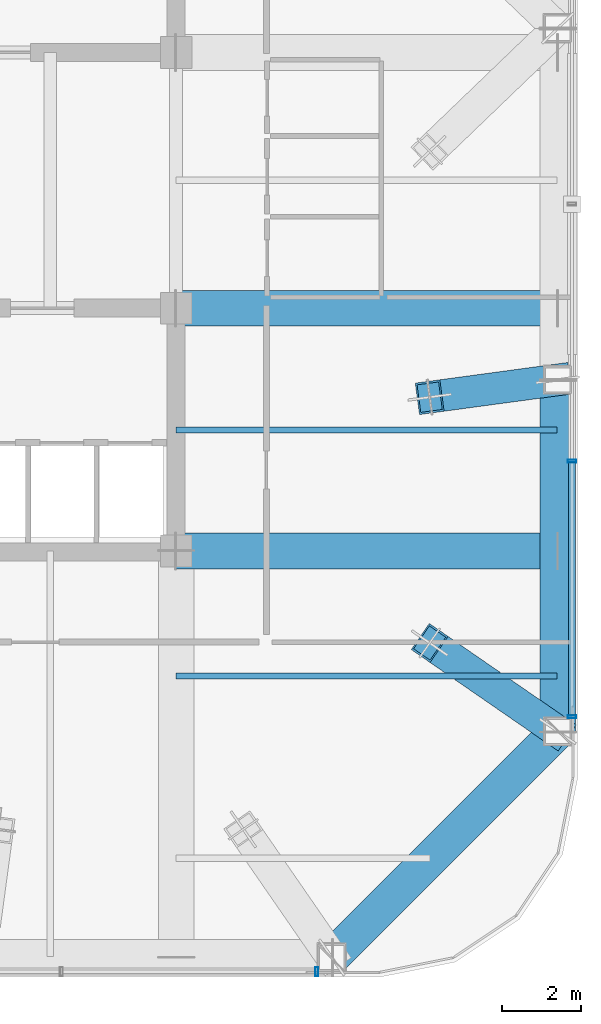
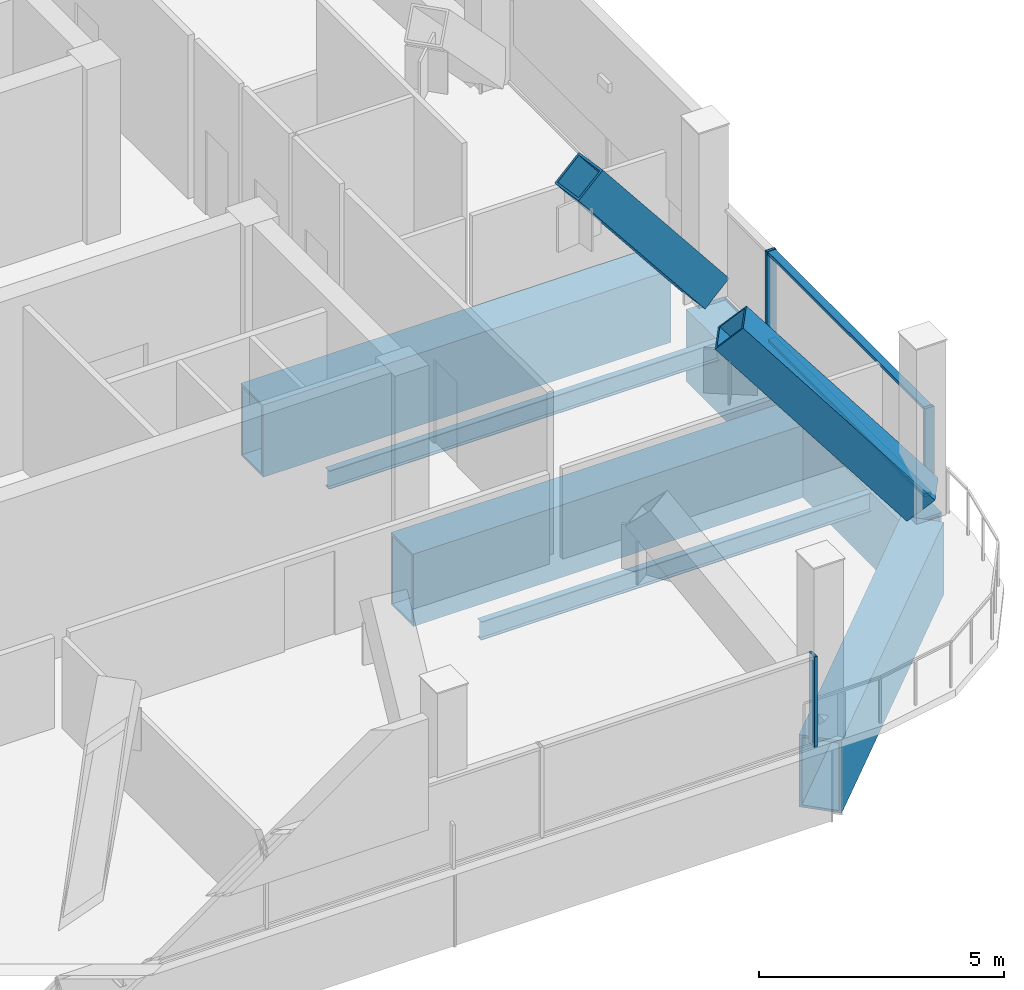
# One storey, part 8 of 19: 7 members, 6 beams, 2 elements without a shape of their own.
"""IFC4 building model written with IfcOpenShell, lengths in metres."""

from ifc_helpers import new_model, si_unit, direction, frame, origin, origin_2d, place, context, subcontext, project, spatial, hollow_rectangle, i_section, extrude, material, layer, layer_set, material_profile, profile_set, type_object, element, aggregate, save


model = new_model("IFC4")

# Units and contexts
model_context = context("Model", 3, precision=1e-05, world=origin(), true_north=direction((0.0, 1.0)))
body_context = subcontext(model_context, "Body", "Model", "MODEL_VIEW")
ifc_project = project(units=[si_unit("LENGTHUNIT", "METRE"), si_unit("AREAUNIT", "SQUARE_METRE"), si_unit("VOLUMEUNIT", "CUBIC_METRE"), si_unit("PLANEANGLEUNIT", "RADIAN"), si_unit("MASSUNIT", "GRAM", prefix="KILO")], contexts=[model_context])

# Site, building, storey
site_placement = place(None, origin())
site = spatial("IfcSite", under=ifc_project, at=site_placement, CompositionType="ELEMENT")
building_placement = place(site_placement, origin())
building = spatial("IfcBuilding", under=site, at=building_placement, Name="Qhalaya Broadcast Tower", CompositionType="ELEMENT")
storey_placement = place(building_placement, frame((0.0, 0.0, 226.949951171875)))
storey = spatial("IfcBuildingStorey", under=building, at=storey_placement, Name="L67", CompositionType="ELEMENT", Elevation=226.949951171875)

# Beams
ifc_material_1 = material(Name="Structural Steel ASTM A572 Grade 50", Category="steel")
ifc_material_profile_1 = material_profile(ifc_material_1, hollow_rectangle(XDim=0.89990234375, YDim=1.800048828125, WallThickness=0.06005859375, at=origin_2d()), Name="BOX 900x1800x60")
ifc_profile_set_1 = profile_set([ifc_material_profile_1], Name="Structural Steel ASTM A572 Grade 50")
beam_type_1 = type_object("IfcBeamType", Name="Block Cantilever Transfer Box Girder TG1", PredefinedType="USERDEFINED", material=ifc_profile_set_1)
beam_1_placement = place(storey_placement, frame((13.300048828125, -19.0, -1.08984375), z_axis=(0.707106781187, 0.707106781187, 0.0), x_axis=(-0.707106781187, 0.707106781187, 0.0)))
element("IfcBeam", 1, at=beam_1_placement, inside=storey, type_object=beam_type_1, Name="L67 TG1 L67-SPR-04", ObjectType="GIRDER", PredefinedType="USERDEFINED", context=body_context, shape_type="SweptSolid", body=[
    extrude(hollow_rectangle(XDim=0.89990234375, YDim=1.800048828125, WallThickness=0.06005859375, at=origin_2d()), origin(), (0.0, 0.0, 1.0), 8.06103515625),
])
beam_2_placement = place(storey_placement, frame((19.0, -13.300048828125, -1.08984375), z_axis=(0.0, 1.0, 0.0), x_axis=(-1.0, 0.0, 0.0)))
element("IfcBeam", 2, at=beam_2_placement, inside=storey, type_object=beam_type_1, Name="L67 TG1 L67-SPR-05", ObjectType="GIRDER", PredefinedType="USERDEFINED", context=body_context, shape_type="SweptSolid", body=[
    extrude(hollow_rectangle(XDim=0.89990234375, YDim=1.800048828125, WallThickness=0.06005859375, at=origin_2d()), origin(), (0.0, 0.0, 1.0), 8.86669921875),
])
for number, where, z_axis, x_axis, name in (
    (3, (9.375, -8.75, -1.08984375), (1.0, 0.0, 0.0), (0.0, 1.0, 0.0), "L67 TG1 L67-PGYE1-1"),
    (4, (9.375, -2.625, -1.08984375), (1.0, 0.0, 0.0), (0.0, 1.0, 0.0), "L67 TG1 L67-PGYE2-1"),
):
    element("IfcBeam", number, at=place(storey_placement, frame(where, z_axis=z_axis, x_axis=x_axis)), inside=storey, type_object=beam_type_1, Name=name, ObjectType="GIRDER", PredefinedType="USERDEFINED", context=body_context, shape_type="SweptSolid", body=[
        extrude(hollow_rectangle(XDim=0.89990234375, YDim=1.800048828125, WallThickness=0.06005859375, at=origin_2d()), origin(), (0.0, 0.0, 1.0), 9.60498046875),
    ])
ifc_material_2 = material(Name="Structural Steel ASTM A992 Grade 50", Category="steel")
ifc_material_profile_2 = material_profile(ifc_material_2, i_section(OverallWidth=0.154052734375, OverallDepth=0.458984375, WebThickness=0.009033203125, FlangeThickness=0.015380859375, at=origin_2d()), Name="W18X46")
ifc_profile_set_2 = profile_set([ifc_material_profile_2], Name="Structural Steel ASTM A992 Grade 50")
beam_type_2 = type_object("IfcBeamType", Name="Composite Floor Joist J04", PredefinedType="JOIST", material=ifc_profile_set_2)
for number, where, z_axis, x_axis, name in (
    (5, (9.375, -11.89990234375, -0.41943359375), (1.0, 0.0, 0.0), (0.0, 1.0, 0.0), "L67 J04 L67-JWE2E-1"),
    (6, (9.375, -5.699951171875, -0.41943359375), (1.0, 0.0, 0.0), (0.0, 1.0, 0.0), "L67 J04 L67-JWE3E-1"),
):
    element("IfcBeam", number, at=place(storey_placement, frame(where, z_axis=z_axis, x_axis=x_axis)), inside=storey, type_object=beam_type_2, Name=name, PredefinedType="JOIST", context=body_context, shape_type="SweptSolid", body=[
        extrude(i_section(OverallWidth=0.154052734375, OverallDepth=0.458984375, WebThickness=0.009033203125, FlangeThickness=0.015380859375, at=origin_2d()), origin(), (0.0, 0.0, 1.0), 9.60498046875),
    ])

# Curtain wall, member
ifc_material_3 = material(Name="Fired Architectural Terracotta", Category="masonry")
ifc_layer = layer(ifc_material_3, 0.219970703125, Name="Fired Architectural Terracotta")
ifc_layer_set = layer_set([ifc_layer], Name="Fired Architectural Terracotta")
curtain_wall_type = type_object("IfcCurtainWallType", Name="Block-Cap Unitised Terracotta Spandrel Wall CW-07", PredefinedType="NOTDEFINED", material=ifc_layer_set)
curtain_wall_1_placement = place(storey_placement, origin())
curtain_wall_1 = element("IfcCurtainWall", 7, at=curtain_wall_1_placement, inside=storey, type_object=curtain_wall_type, Name="L67 Unitised Curtain Wall L67-CW-S", PredefinedType="NOTDEFINED")
ifc_material_4 = material(Name="Anodised Aluminium 6063-T6", Category="aluminium")
ifc_material_profile_3 = material_profile(ifc_material_4, hollow_rectangle(XDim=0.074951171875, YDim=0.219970703125, WallThickness=0.00390625, at=origin_2d()), Name="ALU-MUL 75x220x4")
ifc_profile_set_3 = profile_set([ifc_material_profile_3], Name="Anodised Aluminium 6063-T6")
member_type_1 = type_object("IfcMemberType", Name="Unitised Curtain-Wall Mullion M01", PredefinedType="MULLION", material=ifc_profile_set_3)
member_1_placement = place(storey_placement, frame((12.924560546875, -19.360107421875, 0.0), z_axis=(0.0, 0.0, 1.0), x_axis=(-1.0, 0.0, 0.0)))
member_1 = element("IfcMember", 8, at=member_1_placement, type_object=member_type_1, Name="CW-07 mullion 1", PredefinedType="MULLION", context=body_context, shape_type="SweptSolid", body=[
    extrude(hollow_rectangle(XDim=0.074951171875, YDim=0.219970703125, WallThickness=0.00390625, at=origin_2d()), origin(), (0.0, 0.0, 1.0), 2.25),
])
aggregate(curtain_wall_1, [member_1])

# Curtain wall, members
curtain_wall_2_placement = place(storey_placement, origin())
curtain_wall_2 = element("IfcCurtainWall", 9, at=curtain_wall_2_placement, inside=storey, type_object=curtain_wall_type, Name="L67 Unitised Curtain Wall L67-CW-E", PredefinedType="NOTDEFINED")
member_2_placement = place(storey_placement, frame((19.360107421875, -6.48095703125, 0.0), z_axis=(0.0, 0.0, 1.0), x_axis=(0.0, -1.0, 0.0)))
member_2 = element("IfcMember", 10, at=member_2_placement, type_object=member_type_1, Name="CW-07 mullion 4", PredefinedType="MULLION", context=body_context, shape_type="SweptSolid", body=[
    extrude(hollow_rectangle(XDim=0.074951171875, YDim=0.219970703125, WallThickness=0.00390625, at=origin_2d()), origin(), (0.0, 0.0, 1.0), 2.25),
])
member_3_placement = place(storey_placement, frame((19.360107421875, -12.924560546875, 0.0), z_axis=(0.0, 0.0, 1.0), x_axis=(0.0, -1.0, 0.0)))
member_3 = element("IfcMember", 11, at=member_3_placement, type_object=member_type_1, Name="CW-07 mullion 5", PredefinedType="MULLION", context=body_context, shape_type="SweptSolid", body=[
    extrude(hollow_rectangle(XDim=0.074951171875, YDim=0.219970703125, WallThickness=0.00390625, at=origin_2d()), origin(), (0.0, 0.0, 1.0), 2.25),
])
ifc_material_profile_4 = material_profile(ifc_material_4, hollow_rectangle(XDim=0.074951171875, YDim=0.179931640625, WallThickness=0.00390625, at=origin_2d()), Name="ALU-TRN 75x180x4")
ifc_profile_set_4 = profile_set([ifc_material_profile_4], Name="Anodised Aluminium 6063-T6")
member_type_2 = type_object("IfcMemberType", Name="Unitised Curtain-Wall Transom T01", PredefinedType="USERDEFINED", material=ifc_profile_set_4)
member_4_placement = place(storey_placement, frame((19.360107421875, -6.5185546875, 0.03759765625), z_axis=(0.0, -1.0, 0.0), x_axis=(0.0, 0.0, 1.0)))
member_4 = element("IfcMember", 12, at=member_4_placement, type_object=member_type_2, Name="CW-07 transom 4.1", ObjectType="TRANSOM", PredefinedType="USERDEFINED", context=body_context, shape_type="SweptSolid", body=[
    extrude(hollow_rectangle(XDim=0.074951171875, YDim=0.179931640625, WallThickness=0.00390625, at=origin_2d()), origin(), (0.0, 0.0, 1.0), 6.368408203125),
])
member_5_placement = place(storey_placement, frame((19.360107421875, -6.5185546875, 2.212646484375), z_axis=(0.0, -1.0, 0.0), x_axis=(0.0, 0.0, 1.0)))
member_5 = element("IfcMember", 13, at=member_5_placement, type_object=member_type_2, Name="CW-07 transom 4.2", ObjectType="TRANSOM", PredefinedType="USERDEFINED", context=body_context, shape_type="SweptSolid", body=[
    extrude(hollow_rectangle(XDim=0.074951171875, YDim=0.179931640625, WallThickness=0.00390625, at=origin_2d()), origin(), (0.0, 0.0, 1.0), 6.368408203125),
])
aggregate(curtain_wall_2, [member_2, member_3, member_4, member_5])

# Members
ifc_material_profile_5 = material_profile(ifc_material_1, hollow_rectangle(XDim=0.800048828125, YDim=0.800048828125, WallThickness=0.050048828125, at=origin_2d()), Name="BOX 800x800x50")
ifc_profile_set_5 = profile_set([ifc_material_profile_5], Name="Structural Steel ASTM A572 Grade 50")
member_type_3 = type_object("IfcMemberType", Name="Upper Exoskeleton Transfer Strut RK2", PredefinedType="BRACE", material=ifc_profile_set_5)
member_6_placement = place(storey_placement, frame((19.0, -13.300048828125, 0.287841796875), z_axis=(-0.571812234625, 0.394779512552, 0.719152212541), x_axis=(-0.568148596007, -0.822925982611, 0.0)))
element("IfcMember", 14, at=member_6_placement, inside=storey, type_object=member_type_3, Name="L67 Inclined Exoskeleton Transfer Strut 05", PredefinedType="BRACE", context=body_context, shape_type="SweptSolid", body=[
    extrude(hollow_rectangle(XDim=0.800048828125, YDim=0.800048828125, WallThickness=0.050048828125, at=origin_2d()), origin(), (0.0, 0.0, 1.0), 5.648681640625),
])
member_7_placement = place(storey_placement, frame((19.0, -4.433349609375, 0.25927734375), z_axis=(-0.617525564043, -0.08350364581, 0.782105695472), x_axis=(0.134003385014, -0.990980874086, 0.0)))
element("IfcMember", 15, at=member_7_placement, inside=storey, type_object=member_type_3, Name="L67 Inclined Exoskeleton Transfer Strut 06", PredefinedType="BRACE", context=body_context, shape_type="SweptSolid", body=[
    extrude(hollow_rectangle(XDim=0.800048828125, YDim=0.800048828125, WallThickness=0.050048828125, at=origin_2d()), origin(), (0.0, 0.0, 1.0), 5.23046875),
])

save(model, "model.ifc")
